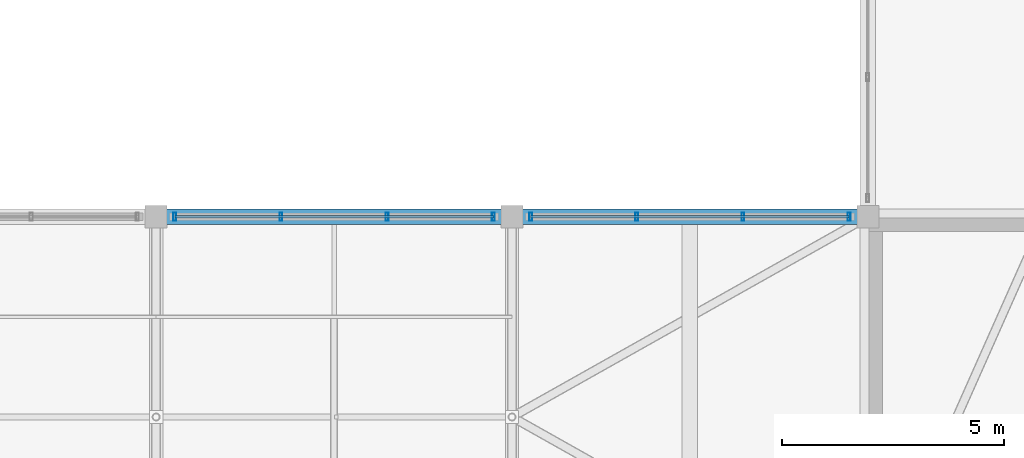
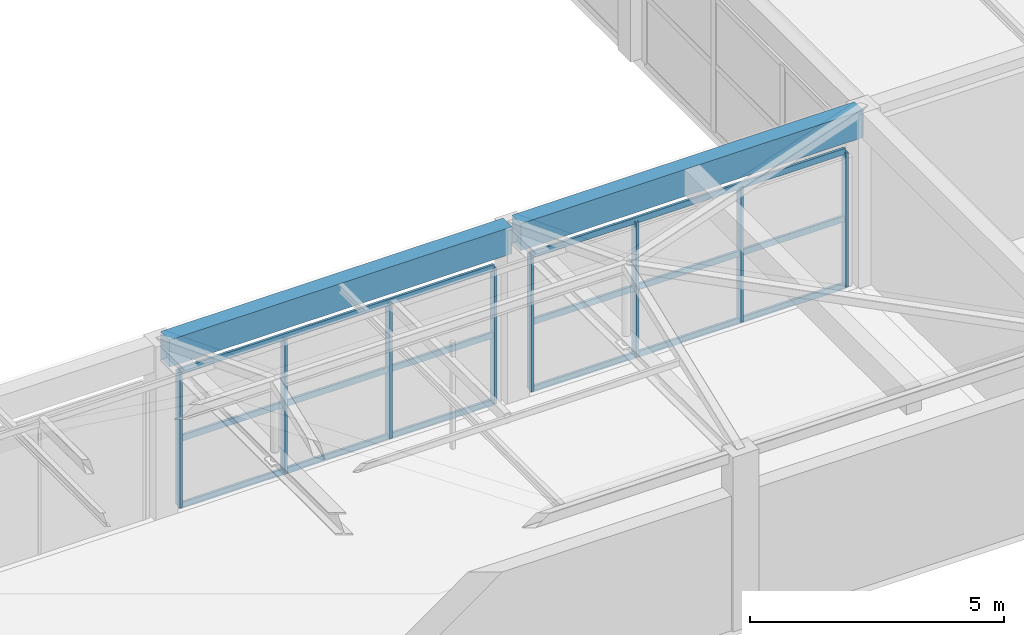
# One storey, part 32 of 65: 14 members, 2 beams, 2 elements without a shape of their own.
"""IFC4 building model written with IfcOpenShell, lengths in metres."""

from ifc_helpers import new_model, si_unit, direction, frame, origin, origin_2d, place, context, subcontext, project, spatial, rectangle, hollow_rectangle, extrude, material, material_profile, profile_set, type_object, element, aggregate, save


model = new_model("IFC4")

# Units and contexts
model_context = context("Model", 3, precision=1e-05, world=origin(), true_north=direction((0.0, 1.0)))
body_context = subcontext(model_context, "Body", "Model", "MODEL_VIEW")
ifc_project = project(units=[si_unit("LENGTHUNIT", "METRE"), si_unit("AREAUNIT", "SQUARE_METRE"), si_unit("VOLUMEUNIT", "CUBIC_METRE"), si_unit("PLANEANGLEUNIT", "RADIAN"), si_unit("MASSUNIT", "GRAM", prefix="KILO")], contexts=[model_context])

# Site, building, storey
site_placement = place(None, origin())
site = spatial("IfcSite", under=ifc_project, at=site_placement, CompositionType="ELEMENT")
building_placement = place(site_placement, origin())
building = spatial("IfcBuilding", under=site, at=building_placement, Name="Varnabhumi Central Station", CompositionType="ELEMENT")
storey_placement = place(building_placement, frame((0.0, 0.0, 24.60009765625)))
storey = spatial("IfcBuildingStorey", under=building, at=storey_placement, Name="L05", CompositionType="ELEMENT", Elevation=24.60009765625)

# Beams
ifc_material_1 = material(Name="Concrete M40", Category="concrete")
ifc_material_profile_1 = material_profile(ifc_material_1, rectangle(XDim=0.35009765625, YDim=0.64990234375, at=origin_2d()), Name="Concrete M40", Category="concrete")
ifc_profile_set_1 = profile_set([ifc_material_profile_1], Name="Concrete M40")
beam_type = type_object("IfcBeamType", Name="BM-RC-350x650", PredefinedType="BEAM", material=ifc_profile_set_1)
for number, where, z_axis, x_axis, name in (
    (1, (128.10009765625, 9.0, 3.875), (1.0, 0.0, 0.0), (0.0, 1.0, 0.0), "Beam L05-B:17-18"),
    (2, (136.10009765625, 9.0, 3.875), (1.0, 0.0, 0.0), (0.0, 1.0, 0.0), "Beam L05-B:18-19"),
):
    element("IfcBeam", number, at=place(storey_placement, frame(where, z_axis=z_axis, x_axis=x_axis)), inside=storey, type_object=beam_type, Name=name, PredefinedType="BEAM", context=body_context, shape_type="SweptSolid", body=[
        extrude(rectangle(XDim=0.35009765625, YDim=0.64990234375, at=origin_2d()), origin(), (0.0, 0.0, 1.0), 7.7998046875),
    ])

# Curtain wall, members
ifc_material_2 = material(Name="Anodised aluminium 6063-T6", Category="aluminium")
curtain_wall_type = type_object("IfcCurtainWallType", Name="CW-PATIO-LOGGIA-L3", PredefinedType="NOTDEFINED", material=ifc_material_2)
curtain_wall_1_placement = place(storey_placement, origin())
curtain_wall_1 = element("IfcCurtainWall", 3, at=curtain_wall_1_placement, inside=storey, type_object=curtain_wall_type, Name="Curtain Wall CW-SP5S3", PredefinedType="NOTDEFINED")
ifc_material_profile_2 = material_profile(ifc_material_2, hollow_rectangle(XDim=0.06494140625, YDim=0.179931640625, WallThickness=0.00390625, InnerFilletRadius=0.001953125, OuterFilletRadius=0.006103515625, at=origin_2d()), Name="Anodised aluminium 6063-T6", Category="aluminium")
ifc_profile_set_2 = profile_set([ifc_material_profile_2], Name="Anodised aluminium 6063-T6")
member_type_1 = type_object("IfcMemberType", Name="CW-MUL-180", PredefinedType="MULLION", material=ifc_profile_set_2)
member_1_placement = place(storey_placement, frame((128.419921875, 9.0, 0.0), z_axis=(0.0, 0.0, 1.0), x_axis=(1.0, 0.0, 0.0)))
member_1 = element("IfcMember", 4, at=member_1_placement, type_object=member_type_1, Name="Curtain Wall Mullion CW-SP5S3-M1", PredefinedType="MULLION", context=body_context, shape_type="SweptSolid", body=[
    extrude(hollow_rectangle(XDim=0.06494140625, YDim=0.179931640625, WallThickness=0.00390625, InnerFilletRadius=0.001953125, OuterFilletRadius=0.006103515625, at=origin_2d()), origin(), (0.0, 0.0, 1.0), 3.239990234375),
])
member_2_placement = place(storey_placement, frame((130.806640625, 9.0, 0.0), z_axis=(0.0, 0.0, 1.0), x_axis=(1.0, 0.0, 0.0)))
member_2 = element("IfcMember", 5, at=member_2_placement, type_object=member_type_1, Name="Curtain Wall Mullion CW-SP5S3-M2", PredefinedType="MULLION", context=body_context, shape_type="SweptSolid", body=[
    extrude(hollow_rectangle(XDim=0.06494140625, YDim=0.179931640625, WallThickness=0.00390625, InnerFilletRadius=0.001953125, OuterFilletRadius=0.006103515625, at=origin_2d()), origin(), (0.0, 0.0, 1.0), 3.239990234375),
])
member_3_placement = place(storey_placement, frame((133.193359375, 9.0, 0.0), z_axis=(0.0, 0.0, 1.0), x_axis=(1.0, 0.0, 0.0)))
member_3 = element("IfcMember", 6, at=member_3_placement, type_object=member_type_1, Name="Curtain Wall Mullion CW-SP5S3-M3", PredefinedType="MULLION", context=body_context, shape_type="SweptSolid", body=[
    extrude(hollow_rectangle(XDim=0.06494140625, YDim=0.179931640625, WallThickness=0.00390625, InnerFilletRadius=0.001953125, OuterFilletRadius=0.006103515625, at=origin_2d()), origin(), (0.0, 0.0, 1.0), 3.239990234375),
])
member_4_placement = place(storey_placement, frame((135.580078125, 9.0, 0.0), z_axis=(0.0, 0.0, 1.0), x_axis=(1.0, 0.0, 0.0)))
member_4 = element("IfcMember", 7, at=member_4_placement, type_object=member_type_1, Name="Curtain Wall Mullion CW-SP5S3-M4", PredefinedType="MULLION", context=body_context, shape_type="SweptSolid", body=[
    extrude(hollow_rectangle(XDim=0.06494140625, YDim=0.179931640625, WallThickness=0.00390625, InnerFilletRadius=0.001953125, OuterFilletRadius=0.006103515625, at=origin_2d()), origin(), (0.0, 0.0, 1.0), 3.239990234375),
])

curtain_wall_2_placement = place(storey_placement, origin())
curtain_wall_2 = element("IfcCurtainWall", 8, at=curtain_wall_2_placement, inside=storey, type_object=curtain_wall_type, Name="Curtain Wall CW-SP5S4", PredefinedType="NOTDEFINED")
member_5_placement = place(storey_placement, frame((136.419921875, 9.0, 0.0), z_axis=(0.0, 0.0, 1.0), x_axis=(1.0, 0.0, 0.0)))
member_5 = element("IfcMember", 9, at=member_5_placement, type_object=member_type_1, Name="Curtain Wall Mullion CW-SP5S4-M1", PredefinedType="MULLION", context=body_context, shape_type="SweptSolid", body=[
    extrude(hollow_rectangle(XDim=0.06494140625, YDim=0.179931640625, WallThickness=0.00390625, InnerFilletRadius=0.001953125, OuterFilletRadius=0.006103515625, at=origin_2d()), origin(), (0.0, 0.0, 1.0), 3.239990234375),
])
member_6_placement = place(storey_placement, frame((138.806640625, 9.0, 0.0), z_axis=(0.0, 0.0, 1.0), x_axis=(1.0, 0.0, 0.0)))
member_6 = element("IfcMember", 10, at=member_6_placement, type_object=member_type_1, Name="Curtain Wall Mullion CW-SP5S4-M2", PredefinedType="MULLION", context=body_context, shape_type="SweptSolid", body=[
    extrude(hollow_rectangle(XDim=0.06494140625, YDim=0.179931640625, WallThickness=0.00390625, InnerFilletRadius=0.001953125, OuterFilletRadius=0.006103515625, at=origin_2d()), origin(), (0.0, 0.0, 1.0), 3.239990234375),
])
member_7_placement = place(storey_placement, frame((141.193359375, 9.0, 0.0), z_axis=(0.0, 0.0, 1.0), x_axis=(1.0, 0.0, 0.0)))
member_7 = element("IfcMember", 11, at=member_7_placement, type_object=member_type_1, Name="Curtain Wall Mullion CW-SP5S4-M3", PredefinedType="MULLION", context=body_context, shape_type="SweptSolid", body=[
    extrude(hollow_rectangle(XDim=0.06494140625, YDim=0.179931640625, WallThickness=0.00390625, InnerFilletRadius=0.001953125, OuterFilletRadius=0.006103515625, at=origin_2d()), origin(), (0.0, 0.0, 1.0), 3.239990234375),
])
member_8_placement = place(storey_placement, frame((143.580078125, 9.0, 0.0), z_axis=(0.0, 0.0, 1.0), x_axis=(1.0, 0.0, 0.0)))
member_8 = element("IfcMember", 12, at=member_8_placement, type_object=member_type_1, Name="Curtain Wall Mullion CW-SP5S4-M4", PredefinedType="MULLION", context=body_context, shape_type="SweptSolid", body=[
    extrude(hollow_rectangle(XDim=0.06494140625, YDim=0.179931640625, WallThickness=0.00390625, InnerFilletRadius=0.001953125, OuterFilletRadius=0.006103515625, at=origin_2d()), origin(), (0.0, 0.0, 1.0), 3.239990234375),
])

# Member
ifc_material_profile_3 = material_profile(ifc_material_2, hollow_rectangle(XDim=0.06005859375, YDim=0.14990234375, WallThickness=0.00390625, InnerFilletRadius=0.001953125, OuterFilletRadius=0.006103515625, at=origin_2d()), Name="Anodised aluminium 6063-T6", Category="aluminium")
ifc_profile_set_3 = profile_set([ifc_material_profile_3], Name="Anodised aluminium 6063-T6")
member_type_2 = type_object("IfcMemberType", Name="CW-TR-150", PredefinedType="USERDEFINED", material=ifc_profile_set_3)
member_9_placement = place(storey_placement, frame((128.419921875, 9.0, 0.0), z_axis=(1.0, 0.0, 0.0), x_axis=(0.0, 1.0, 0.0)))
member_9 = element("IfcMember", 13, at=member_9_placement, type_object=member_type_2, Name="Curtain Wall Transom CW-SP5S3-T1", ObjectType="TRANSOM", PredefinedType="USERDEFINED", context=body_context, shape_type="SweptSolid", body=[
    extrude(hollow_rectangle(XDim=0.06005859375, YDim=0.14990234375, WallThickness=0.00390625, InnerFilletRadius=0.001953125, OuterFilletRadius=0.006103515625, at=origin_2d()), origin(), (0.0, 0.0, 1.0), 7.16015625),
])

member_10_placement = place(storey_placement, frame((128.419921875, 9.0, 1.619873046875), z_axis=(1.0, 0.0, 0.0), x_axis=(0.0, 1.0, 0.0)))
member_10 = element("IfcMember", 14, at=member_10_placement, type_object=member_type_2, Name="Curtain Wall Transom CW-SP5S3-T2", ObjectType="TRANSOM", PredefinedType="USERDEFINED", context=body_context, shape_type="SweptSolid", body=[
    extrude(hollow_rectangle(XDim=0.06005859375, YDim=0.14990234375, WallThickness=0.00390625, InnerFilletRadius=0.001953125, OuterFilletRadius=0.006103515625, at=origin_2d()), origin(), (0.0, 0.0, 1.0), 7.16015625),
])

member_11_placement = place(storey_placement, frame((128.419921875, 9.0, 3.239990234375), z_axis=(1.0, 0.0, 0.0), x_axis=(0.0, 1.0, 0.0)))
member_11 = element("IfcMember", 15, at=member_11_placement, type_object=member_type_2, Name="Curtain Wall Transom CW-SP5S3-T3", ObjectType="TRANSOM", PredefinedType="USERDEFINED", context=body_context, shape_type="SweptSolid", body=[
    extrude(hollow_rectangle(XDim=0.06005859375, YDim=0.14990234375, WallThickness=0.00390625, InnerFilletRadius=0.001953125, OuterFilletRadius=0.006103515625, at=origin_2d()), origin(), (0.0, 0.0, 1.0), 7.16015625),
])

aggregate(curtain_wall_1, [member_1, member_2, member_3, member_4, member_9, member_10, member_11])

member_12_placement = place(storey_placement, frame((136.419921875, 9.0, 0.0), z_axis=(1.0, 0.0, 0.0), x_axis=(0.0, 1.0, 0.0)))
member_12 = element("IfcMember", 16, at=member_12_placement, type_object=member_type_2, Name="Curtain Wall Transom CW-SP5S4-T1", ObjectType="TRANSOM", PredefinedType="USERDEFINED", context=body_context, shape_type="SweptSolid", body=[
    extrude(hollow_rectangle(XDim=0.06005859375, YDim=0.14990234375, WallThickness=0.00390625, InnerFilletRadius=0.001953125, OuterFilletRadius=0.006103515625, at=origin_2d()), origin(), (0.0, 0.0, 1.0), 7.16015625),
])

member_13_placement = place(storey_placement, frame((136.419921875, 9.0, 1.619873046875), z_axis=(1.0, 0.0, 0.0), x_axis=(0.0, 1.0, 0.0)))
member_13 = element("IfcMember", 17, at=member_13_placement, type_object=member_type_2, Name="Curtain Wall Transom CW-SP5S4-T2", ObjectType="TRANSOM", PredefinedType="USERDEFINED", context=body_context, shape_type="SweptSolid", body=[
    extrude(hollow_rectangle(XDim=0.06005859375, YDim=0.14990234375, WallThickness=0.00390625, InnerFilletRadius=0.001953125, OuterFilletRadius=0.006103515625, at=origin_2d()), origin(), (0.0, 0.0, 1.0), 7.16015625),
])

member_14_placement = place(storey_placement, frame((136.419921875, 9.0, 3.239990234375), z_axis=(1.0, 0.0, 0.0), x_axis=(0.0, 1.0, 0.0)))
member_14 = element("IfcMember", 18, at=member_14_placement, type_object=member_type_2, Name="Curtain Wall Transom CW-SP5S4-T3", ObjectType="TRANSOM", PredefinedType="USERDEFINED", context=body_context, shape_type="SweptSolid", body=[
    extrude(hollow_rectangle(XDim=0.06005859375, YDim=0.14990234375, WallThickness=0.00390625, InnerFilletRadius=0.001953125, OuterFilletRadius=0.006103515625, at=origin_2d()), origin(), (0.0, 0.0, 1.0), 7.16015625),
])

aggregate(curtain_wall_2, [member_5, member_6, member_7, member_8, member_12, member_13, member_14])

save(model, "model.ifc")
